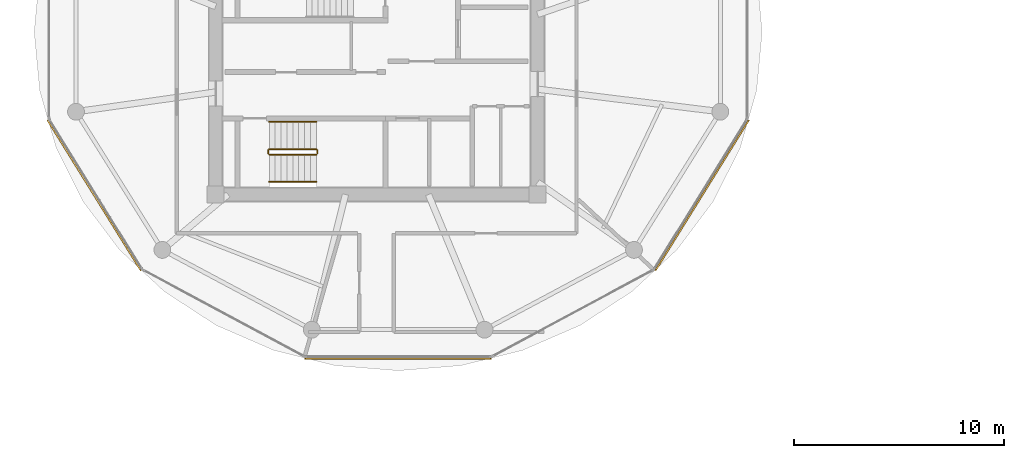
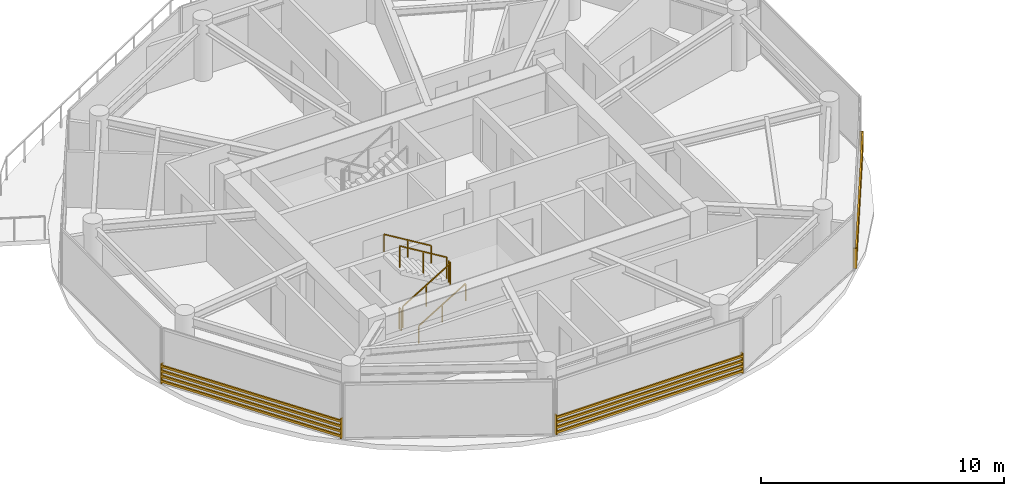
# One storey, part 18 of 21: 6 railings, 3 shading devices.
"""IFC4 building model written with IfcOpenShell, lengths in metres."""

from ifc_helpers import new_model, si_unit, direction, frame, origin, origin_2d, place, context, subcontext, project, spatial, rectangle, extrude, source, transform, mapped, material, type_object, type_shapes, element, save


model = new_model("IFC4")

# Units and contexts
model_context = context("Model", 3, precision=1e-05, world=origin(), true_north=direction((0.0, 1.0)))
body_context = subcontext(model_context, "Body", "Model", "MODEL_VIEW")
ifc_project = project(units=[si_unit("LENGTHUNIT", "METRE"), si_unit("AREAUNIT", "SQUARE_METRE"), si_unit("VOLUMEUNIT", "CUBIC_METRE"), si_unit("PLANEANGLEUNIT", "RADIAN"), si_unit("MASSUNIT", "GRAM", prefix="KILO")], contexts=[model_context])

# Site, building, storey
site_placement = place(None, origin())
site = spatial("IfcSite", under=ifc_project, at=site_placement, CompositionType="ELEMENT")
building_placement = place(site_placement, origin())
building = spatial("IfcBuilding", under=site, at=building_placement, Name="Norrkilde Senior Care Towers", CompositionType="ELEMENT")
storey_placement = place(building_placement, frame((0.0, 0.0, 143.449951171875)))
storey = spatial("IfcBuildingStorey", under=building, at=storey_placement, Name="L44", CompositionType="ELEMENT", Elevation=143.449951171875)

# Railings
ifc_material_1 = material(Name="Stainless Steel", Category="steel")
railing_type_1 = type_object("IfcRailingType", Name="Stair and Terrace Guardrail 1100", PredefinedType="GUARDRAIL", material=ifc_material_1)
railing_1_placement = place(storey_placement, frame((-33.10009765625, -4.050048828125, 0.16943359375)))
element("IfcRailing", 1, at=railing_1_placement, inside=storey, type_object=railing_type_1, Name="L44 ST-W2 stair guard 1", PredefinedType="GUARDRAIL", context=body_context, shape_type="SweptSolid", body=[
    extrude(rectangle(XDim=0.048095703125, YDim=0.048095703125, at=origin_2d()), frame((0.0, 0.0, 1.076171875), z_axis=(0.855512035549, 0.0, 0.517782924622), x_axis=(0.0, 1.0, 0.0)), (0.0, 0.0, 1.0), 2.618408203125),
    extrude(rectangle(XDim=0.0419921875, YDim=0.0419921875, at=origin_2d()), origin(), (0.0, 0.0, 1.0), 1.050048828125),
    extrude(rectangle(XDim=0.0419921875, YDim=0.0419921875, at=origin_2d()), frame((1.1201171875, 0.0, 0.677734375)), (0.0, 0.0, 1.0), 1.050048828125),
    extrude(rectangle(XDim=0.0419921875, YDim=0.0419921875, at=origin_2d()), frame((2.239990234375, 0.0, 1.355712890625)), (0.0, 0.0, 1.0), 1.050048828125),
])
railing_2_placement = place(storey_placement, frame((-30.81005859375, -4.0, 1.525146484375)))
element("IfcRailing", 2, at=railing_2_placement, inside=storey, type_object=railing_type_1, Name="L44 ST-W2 stair guard 2", PredefinedType="GUARDRAIL", context=body_context, shape_type="SweptSolid", body=[
    extrude(rectangle(XDim=0.048095703125, YDim=0.048095703125, at=origin_2d()), frame((0.0, 0.0, 1.076171875), z_axis=(0.0, 1.0, 0.0), x_axis=(-1.0, 0.0, 0.0)), (0.0, 0.0, 1.0), 0.14990234375),
    extrude(rectangle(XDim=0.0419921875, YDim=0.0419921875, at=origin_2d()), origin(), (0.0, 0.0, 1.0), 1.050048828125),
    extrude(rectangle(XDim=0.0419921875, YDim=0.0419921875, at=origin_2d()), frame((0.0, 0.14990234375, 0.0)), (0.0, 0.0, 1.0), 1.050048828125),
])
railing_3_placement = place(storey_placement, frame((-30.860107421875, -3.800048828125, 1.694580078125)))
element("IfcRailing", 3, at=railing_3_placement, inside=storey, type_object=railing_type_1, Name="L44 ST-W2 stair guard 3", PredefinedType="GUARDRAIL", context=body_context, shape_type="SweptSolid", body=[
    extrude(rectangle(XDim=0.048095703125, YDim=0.048095703125, at=origin_2d()), frame((0.0, 0.0, 1.076171875), z_axis=(-0.855553338991, 0.0, 0.51771467445), x_axis=(0.0, -1.0, 0.0)), (0.0, 0.0, 1.0), 2.6181640625),
    extrude(rectangle(XDim=0.0419921875, YDim=0.0419921875, at=origin_2d()), origin(), (0.0, 0.0, 1.0), 1.050048828125),
    extrude(rectangle(XDim=0.0419921875, YDim=0.0419921875, at=origin_2d()), frame((-1.1201171875, 0.0, 0.677734375)), (0.0, 0.0, 1.0), 1.050048828125),
    extrude(rectangle(XDim=0.0419921875, YDim=0.0419921875, at=origin_2d()), frame((-2.239990234375, 0.0, 1.35546875)), (0.0, 0.0, 1.0), 1.050048828125),
])
railing_4_placement = place(storey_placement, frame((-33.14990234375, -4.0, 0.0)))
element("IfcRailing", 4, at=railing_4_placement, inside=storey, type_object=railing_type_1, Name="L44 ST-W2 stair guard 4", PredefinedType="GUARDRAIL", context=body_context, shape_type="SweptSolid", body=[
    extrude(rectangle(XDim=0.048095703125, YDim=0.048095703125, at=origin_2d()), frame((0.0, 0.0, 1.076171875), z_axis=(0.0, 1.0, 0.0), x_axis=(-1.0, 0.0, 0.0)), (0.0, 0.0, 1.0), 0.14990234375),
    extrude(rectangle(XDim=0.0419921875, YDim=0.0419921875, at=origin_2d()), origin(), (0.0, 0.0, 1.0), 1.050048828125),
    extrude(rectangle(XDim=0.0419921875, YDim=0.0419921875, at=origin_2d()), frame((0.0, 0.14990234375, 0.0)), (0.0, 0.0, 1.0), 1.050048828125),
])
ifc_material_2 = material(Name="Nordic Ash Timber", Category="wood")
railing_type_2 = type_object("IfcRailingType", Name="Wall and Stair Handrail 900", PredefinedType="HANDRAIL", material=ifc_material_2)
railing_5_placement = place(storey_placement, frame((-33.10009765625, -5.35009765625, 0.16943359375)))
element("IfcRailing", 5, at=railing_5_placement, inside=storey, type_object=railing_type_2, Name="L44 ST-W2 stair handrail 1", PredefinedType="HANDRAIL", context=body_context, shape_type="SweptSolid", body=[
    extrude(rectangle(XDim=0.048095703125, YDim=0.048095703125, at=origin_2d()), frame((0.0, 0.0, 0.8759765625), z_axis=(0.855512035549, 0.0, 0.517782924622), x_axis=(0.0, 1.0, 0.0)), (0.0, 0.0, 1.0), 2.618408203125),
    extrude(rectangle(XDim=0.0419921875, YDim=0.0419921875, at=origin_2d()), origin(), (0.0, 0.0, 1.0), 0.849853515625),
    extrude(rectangle(XDim=0.0419921875, YDim=0.0419921875, at=origin_2d()), frame((1.1201171875, 0.0, 0.677734375)), (0.0, 0.0, 1.0), 0.849853515625),
    extrude(rectangle(XDim=0.0419921875, YDim=0.0419921875, at=origin_2d()), frame((2.239990234375, 0.0, 1.355712890625)), (0.0, 0.0, 1.0), 0.849853515625),
])
railing_6_placement = place(storey_placement, frame((-30.860107421875, -2.5, 1.694580078125)))
element("IfcRailing", 6, at=railing_6_placement, inside=storey, type_object=railing_type_2, Name="L44 ST-W2 stair handrail 2", PredefinedType="HANDRAIL", context=body_context, shape_type="SweptSolid", body=[
    extrude(rectangle(XDim=0.048095703125, YDim=0.048095703125, at=origin_2d()), frame((0.0, 0.0, 0.8759765625), z_axis=(-0.855553338991, 0.0, 0.51771467445), x_axis=(0.0, -1.0, 0.0)), (0.0, 0.0, 1.0), 2.6181640625),
    extrude(rectangle(XDim=0.0419921875, YDim=0.0419921875, at=origin_2d()), origin(), (0.0, 0.0, 1.0), 0.849853515625),
    extrude(rectangle(XDim=0.0419921875, YDim=0.0419921875, at=origin_2d()), frame((-1.1201171875, 0.0, 0.677734375)), (0.0, 0.0, 1.0), 0.849853515625),
    extrude(rectangle(XDim=0.0419921875, YDim=0.0419921875, at=origin_2d()), frame((-2.239990234375, 0.0, 1.35546875)), (0.0, 0.0, 1.0), 0.849853515625),
])

# Shading devices
ifc_material_3 = material(Name="Architectural Terracotta", Category="masonry")
shading_device_type = type_object("IfcShadingDeviceType", Name="Horizontal Terracotta Baguette Rack", PredefinedType="USERDEFINED", material=ifc_material_3)
shared_shape_1 = source(origin(), body_context, "Body", "SweptSolid", [
    extrude(rectangle(XDim=0.070068359375, YDim=0.110107421875, at=origin_2d()), frame((0.0, 0.090087890625, 0.125), z_axis=(1.0, 0.0, 0.0), x_axis=(0.0, 1.0, 0.0)), (0.0, 0.0, 1.0), 8.89306640625),
    extrude(rectangle(XDim=0.070068359375, YDim=0.110107421875, at=origin_2d()), frame((0.0, 0.090087890625, 0.375), z_axis=(1.0, 0.0, 0.0), x_axis=(0.0, 1.0, 0.0)), (0.0, 0.0, 1.0), 8.89306640625),
    extrude(rectangle(XDim=0.070068359375, YDim=0.110107421875, at=origin_2d()), frame((0.0, 0.090087890625, 0.625), z_axis=(1.0, 0.0, 0.0), x_axis=(0.0, 1.0, 0.0)), (0.0, 0.0, 1.0), 8.89306640625),
    extrude(rectangle(XDim=0.070068359375, YDim=0.110107421875, at=origin_2d()), frame((0.0, 0.090087890625, 0.875), z_axis=(1.0, 0.0, 0.0), x_axis=(0.0, 1.0, 0.0)), (0.0, 0.0, 1.0), 8.89306640625),
    extrude(rectangle(XDim=0.050048828125, YDim=0.1552734375, at=origin_2d()), frame((0.02490234375, 0.047607421875, 0.0)), (0.0, 0.0, 1.0), 1.0),
    extrude(rectangle(XDim=0.050048828125, YDim=0.1552734375, at=origin_2d()), frame((8.8681640625, 0.047607421875, 0.0)), (0.0, 0.0, 1.0), 1.0),
])
shading_device_placement = place(storey_placement, frame((-22.528564453125, -13.66015625, 0.080078125), z_axis=(0.0, 0.0, 1.0), x_axis=(-1.0, 0.0, 0.0)))
element("IfcShadingDevice", 7, at=shading_device_placement, inside=storey, type_object=shading_device_type, Name="L44 Drum W Terracotta Baguette Screen 08", ObjectType="BAGUETTE", PredefinedType="USERDEFINED", context=body_context, shape_type="MappedRepresentation", body=[
    mapped(shared_shape_1, transform((0.0, 0.0, 0.0), x_axis=(1.0, 0.0, 0.0), y_axis=(0.0, 1.0, 0.0), z_axis=(0.0, 0.0, 1.0), scale=1.0)),
])
shared_shape_2 = source(origin(), body_context, "Body", "SweptSolid", [
    extrude(rectangle(XDim=0.070068359375, YDim=0.110107421875, at=origin_2d()), frame((0.0, 0.090087890625, 0.125), z_axis=(1.0, 0.0, 0.0), x_axis=(0.0, 1.0, 0.0)), (0.0, 0.0, 1.0), 8.431396484375),
    extrude(rectangle(XDim=0.070068359375, YDim=0.110107421875, at=origin_2d()), frame((0.0, 0.090087890625, 0.375), z_axis=(1.0, 0.0, 0.0), x_axis=(0.0, 1.0, 0.0)), (0.0, 0.0, 1.0), 8.431396484375),
    extrude(rectangle(XDim=0.070068359375, YDim=0.110107421875, at=origin_2d()), frame((0.0, 0.090087890625, 0.625), z_axis=(1.0, 0.0, 0.0), x_axis=(0.0, 1.0, 0.0)), (0.0, 0.0, 1.0), 8.431396484375),
    extrude(rectangle(XDim=0.070068359375, YDim=0.110107421875, at=origin_2d()), frame((0.0, 0.090087890625, 0.875), z_axis=(1.0, 0.0, 0.0), x_axis=(0.0, 1.0, 0.0)), (0.0, 0.0, 1.0), 8.431396484375),
    extrude(rectangle(XDim=0.050048828125, YDim=0.1552734375, at=origin_2d()), frame((0.02490234375, 0.047607421875, 0.0)), (0.0, 0.0, 1.0), 1.0),
    extrude(rectangle(XDim=0.050048828125, YDim=0.1552734375, at=origin_2d()), frame((8.40625, 0.047607421875, 0.0)), (0.0, 0.0, 1.0), 1.0),
])
type_shapes(shading_device_type, [shared_shape_1, shared_shape_2])
for number, where, z_axis, x_axis, name in (
    (8, (-39.123046875, -9.524169921875, 0.080078125), (0.0, 0.0, 1.0), (-0.527378022296, 0.849630809324, 0.0), "L44 Drum W Terracotta Baguette Screen 06"),
    (9, (-10.38037109375, -2.360595703125, 0.080078125), (0.0, 0.0, 1.0), (-0.527378022296, -0.849630809324, 0.0), "L44 Drum W Terracotta Baguette Screen 10"),
):
    element("IfcShadingDevice", number, at=place(storey_placement, frame(where, z_axis=z_axis, x_axis=x_axis)), inside=storey, type_object=shading_device_type, Name=name, ObjectType="BAGUETTE", PredefinedType="USERDEFINED", context=body_context, shape_type="MappedRepresentation", body=[
        mapped(shared_shape_2, transform((0.0, 0.0, 0.0), x_axis=(1.0, 0.0, 0.0), y_axis=(0.0, 1.0, 0.0), z_axis=(0.0, 0.0, 1.0), scale=1.0)),
    ])

save(model, "model.ifc")
